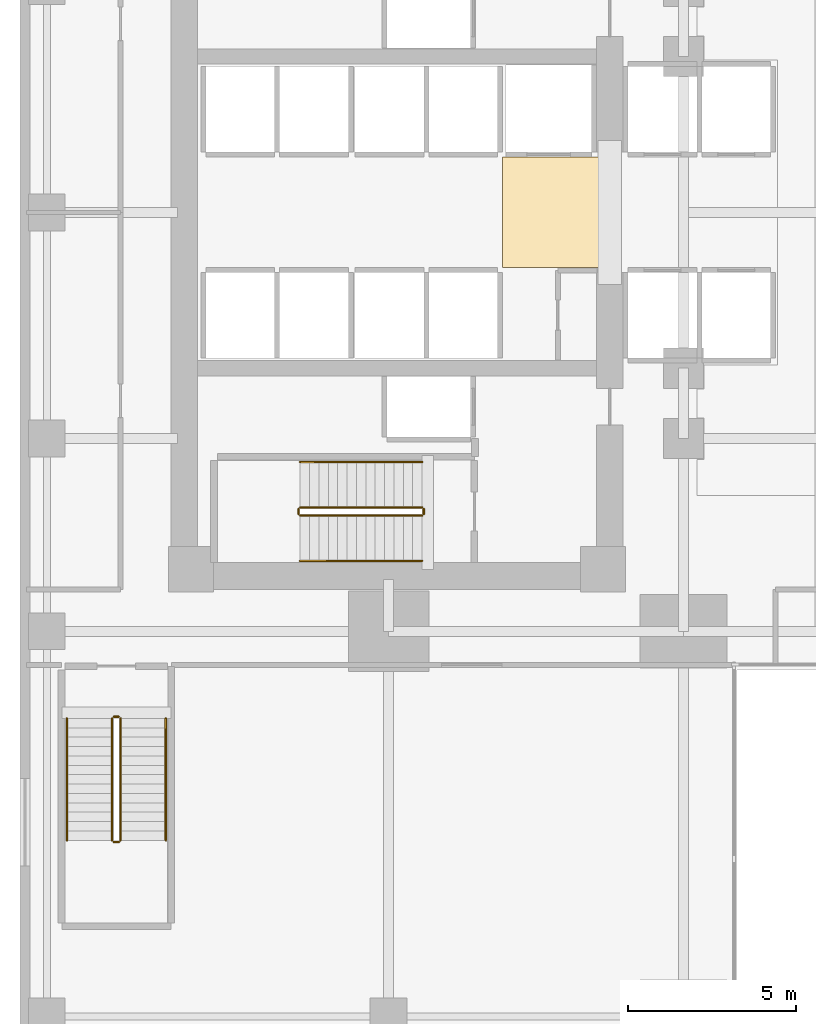
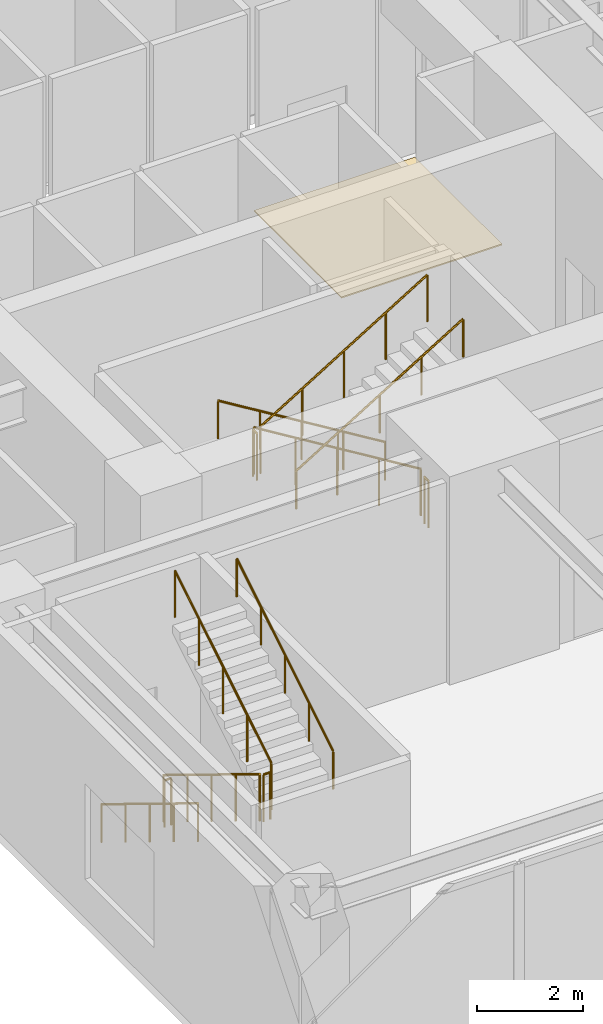
# One storey, part 12 of 13: 12 railings, 1 covering.
"""IFC4 building model written with IfcOpenShell, lengths in metres."""

from ifc_helpers import new_model, si_unit, direction, frame, origin, origin_2d, place, context, subcontext, project, spatial, polyline, circle, outline, extrude, material, layer, layer_set, type_object, element, save


model = new_model("IFC4")

# Units and contexts
model_context = context("Model", 3, precision=1e-05, world=origin(), true_north=direction((0.0, 1.0)))
body_context = subcontext(model_context, "Body", "Model", "MODEL_VIEW")
ifc_project = project(units=[si_unit("LENGTHUNIT", "METRE"), si_unit("AREAUNIT", "SQUARE_METRE"), si_unit("VOLUMEUNIT", "CUBIC_METRE"), si_unit("PLANEANGLEUNIT", "RADIAN"), si_unit("MASSUNIT", "GRAM", prefix="KILO")], contexts=[model_context])

# Site, building, storey
site_placement = place(None, origin())
site = spatial("IfcSite", under=ifc_project, at=site_placement, CompositionType="ELEMENT")
building_placement = place(site_placement, origin())
building = spatial("IfcBuilding", under=site, at=building_placement, Name="Kinhvarn Gate Tower", CompositionType="ELEMENT")
storey_placement = place(building_placement, frame((0.0, 0.0, 10.800048828125)))
storey = spatial("IfcBuildingStorey", under=building, at=storey_placement, Name="L02", CompositionType="ELEMENT", Elevation=10.800048828125)

# Covering
ifc_material_1 = material(Name="Honed granite architectural paving", Category="masonry")
ifc_layer = layer(ifc_material_1, 0.030029296875)
ifc_layer_set = layer_set([ifc_layer], Name="Honed granite architectural paving")
covering_type = type_object("IfcCoveringType", Name="COV-FLR-30", PredefinedType="FLOORING", material=ifc_layer_set)
covering_placement = place(storey_placement, origin())
element("IfcCovering", 1, at=covering_placement, inside=storey, type_object=covering_type, Name="Honed Granite Lift Lobby Flooring (L02)", PredefinedType="FLOORING", context=body_context, shape_type="SweptSolid", body=[
    extrude(outline(polyline([(14.39990234375, 23.60009765625), (14.39990234375, 26.89990234375), (17.89990234375, 26.89990234375), (17.89990234375, 23.60009765625), (14.39990234375, 23.60009765625)])), origin(), (0.0, 0.0, 1.0), 0.030029296875),
])

# Railings
ifc_material_2 = material(Name="Steel S355", Category="steel")
railing_type_1 = type_object("IfcRailingType", Name="RL-ST-GRD", PredefinedType="BALUSTRADE", material=ifc_material_2)
railing_1_placement = place(storey_placement, frame((12.0, 16.449951171875, 0.17138671875)))
element("IfcRailing", 2, at=railing_1_placement, inside=storey, type_object=railing_type_1, Name="L02 ST1 stair guard 1", PredefinedType="BALUSTRADE", context=body_context, shape_type="SweptSolid", body=[
    extrude(circle(Radius=0.02392578125, at=origin_2d()), frame((0.0, 0.0, 1.076171875), z_axis=(-0.852850264322, 0.0, 0.5221555579), x_axis=(0.0, -1.0, 0.0)), (0.0, 0.0, 1.0), 4.267822265625),
    extrude(circle(Radius=0.02099609375, at=origin_2d()), origin(), (0.0, 0.0, 1.0), 1.052001953125),
    extrude(circle(Radius=0.02099609375, at=origin_2d()), frame((-0.909912109375, 0.0, 0.55712890625)), (0.0, 0.0, 1.0), 1.052001953125),
    extrude(circle(Radius=0.02099609375, at=origin_2d()), frame((-1.81982421875, 0.0, 1.1142578125)), (0.0, 0.0, 1.0), 1.052001953125),
    extrude(circle(Radius=0.02099609375, at=origin_2d()), frame((-2.72998046875, 0.0, 1.67138671875)), (0.0, 0.0, 1.0), 1.052001953125),
    extrude(circle(Radius=0.02099609375, at=origin_2d()), frame((-3.639892578125, 0.0, 2.228515625)), (0.0, 0.0, 1.0), 1.052001953125),
])
railing_2_placement = place(storey_placement, frame((8.31005859375, 16.39990234375, 2.39990234375)))
element("IfcRailing", 3, at=railing_2_placement, inside=storey, type_object=railing_type_1, Name="L02 ST1 stair guard 2", PredefinedType="BALUSTRADE", context=body_context, shape_type="SweptSolid", body=[
    extrude(circle(Radius=0.02392578125, at=origin_2d()), frame((0.0, 0.0, 1.076171875), z_axis=(0.0, -1.0, 0.0), x_axis=(1.0, 0.0, 0.0)), (0.0, 0.0, 1.0), 0.14990234375),
    extrude(circle(Radius=0.02099609375, at=origin_2d()), origin(), (0.0, 0.0, 1.0), 1.052001953125),
    extrude(circle(Radius=0.02099609375, at=origin_2d()), frame((0.0, -0.14990234375, 0.0)), (0.0, 0.0, 1.0), 1.052001953125),
])
railing_3_placement = place(storey_placement, frame((8.360107421875, 16.199951171875, 2.5712890625)))
element("IfcRailing", 4, at=railing_3_placement, inside=storey, type_object=railing_type_1, Name="L02 ST1 stair guard 3", PredefinedType="BALUSTRADE", context=body_context, shape_type="SweptSolid", body=[
    extrude(circle(Radius=0.02392578125, at=origin_2d()), frame((0.0, 0.0, 1.076171875), z_axis=(0.852824790078, 0.0, 0.522197163366), x_axis=(0.0, 1.0, 0.0)), (0.0, 0.0, 1.0), 4.26806640625),
    extrude(circle(Radius=0.02099609375, at=origin_2d()), origin(), (0.0, 0.0, 1.0), 1.052001953125),
    extrude(circle(Radius=0.02099609375, at=origin_2d()), frame((0.909912109375, 0.0, 0.55712890625)), (0.0, 0.0, 1.0), 1.052001953125),
    extrude(circle(Radius=0.02099609375, at=origin_2d()), frame((1.81982421875, 0.0, 1.1142578125)), (0.0, 0.0, 1.0), 1.052001953125),
    extrude(circle(Radius=0.02099609375, at=origin_2d()), frame((2.72998046875, 0.0, 1.671630859375)), (0.0, 0.0, 1.0), 1.052001953125),
    extrude(circle(Radius=0.02099609375, at=origin_2d()), frame((3.639892578125, 0.0, 2.228759765625)), (0.0, 0.0, 1.0), 1.052001953125),
])
railing_4_placement = place(storey_placement, frame((12.050048828125, 16.39990234375, 0.0)))
element("IfcRailing", 5, at=railing_4_placement, inside=storey, type_object=railing_type_1, Name="L02 ST1 stair guard 4", PredefinedType="BALUSTRADE", context=body_context, shape_type="SweptSolid", body=[
    extrude(circle(Radius=0.02392578125, at=origin_2d()), frame((0.0, 0.0, 1.076171875), z_axis=(0.0, -1.0, 0.0), x_axis=(1.0, 0.0, 0.0)), (0.0, 0.0, 1.0), 0.14990234375),
    extrude(circle(Radius=0.02099609375, at=origin_2d()), origin(), (0.0, 0.0, 1.0), 1.052001953125),
    extrude(circle(Radius=0.02099609375, at=origin_2d()), frame((0.0, -0.14990234375, 0.0)), (0.0, 0.0, 1.0), 1.052001953125),
])
railing_5_placement = place(storey_placement, frame((2.75, 10.14990234375, 0.17138671875)))
element("IfcRailing", 6, at=railing_5_placement, inside=storey, type_object=railing_type_1, Name="L02 ST3 stair guard 1", PredefinedType="BALUSTRADE", context=body_context, shape_type="SweptSolid", body=[
    extrude(circle(Radius=0.02392578125, at=origin_2d()), frame((0.0, 0.0, 1.076171875), z_axis=(0.0, -0.852850264322, 0.5221555579), x_axis=(1.0, 0.0, 0.0)), (0.0, 0.0, 1.0), 4.267822265625),
    extrude(circle(Radius=0.02099609375, at=origin_2d()), origin(), (0.0, 0.0, 1.0), 1.052001953125),
    extrude(circle(Radius=0.02099609375, at=origin_2d()), frame((0.0, -0.909912109375, 0.55712890625)), (0.0, 0.0, 1.0), 1.052001953125),
    extrude(circle(Radius=0.02099609375, at=origin_2d()), frame((0.0, -1.81982421875, 1.1142578125)), (0.0, 0.0, 1.0), 1.052001953125),
    extrude(circle(Radius=0.02099609375, at=origin_2d()), frame((0.0, -2.72998046875, 1.67138671875)), (0.0, 0.0, 1.0), 1.052001953125),
    extrude(circle(Radius=0.02099609375, at=origin_2d()), frame((0.0, -3.639892578125, 2.228515625)), (0.0, 0.0, 1.0), 1.052001953125),
])
railing_6_placement = place(storey_placement, frame((2.800048828125, 6.4599609375, 2.39990234375)))
element("IfcRailing", 7, at=railing_6_placement, inside=storey, type_object=railing_type_1, Name="L02 ST3 stair guard 2", PredefinedType="BALUSTRADE", context=body_context, shape_type="SweptSolid", body=[
    extrude(circle(Radius=0.02392578125, at=origin_2d()), frame((0.0, 0.0, 1.076171875), z_axis=(1.0, 0.0, 0.0), x_axis=(0.0, 1.0, 0.0)), (0.0, 0.0, 1.0), 0.14990234375),
    extrude(circle(Radius=0.02099609375, at=origin_2d()), origin(), (0.0, 0.0, 1.0), 1.052001953125),
    extrude(circle(Radius=0.02099609375, at=origin_2d()), frame((0.14990234375, 0.0, 0.0)), (0.0, 0.0, 1.0), 1.052001953125),
])
railing_7_placement = place(storey_placement, frame((3.0, 6.510009765625, 2.5712890625)))
element("IfcRailing", 8, at=railing_7_placement, inside=storey, type_object=railing_type_1, Name="L02 ST3 stair guard 3", PredefinedType="BALUSTRADE", context=body_context, shape_type="SweptSolid", body=[
    extrude(circle(Radius=0.02392578125, at=origin_2d()), frame((0.0, 0.0, 1.076171875), z_axis=(0.0, 0.852824790078, 0.522197163366), x_axis=(-1.0, 0.0, 0.0)), (0.0, 0.0, 1.0), 4.26806640625),
    extrude(circle(Radius=0.02099609375, at=origin_2d()), origin(), (0.0, 0.0, 1.0), 1.052001953125),
    extrude(circle(Radius=0.02099609375, at=origin_2d()), frame((0.0, 0.909912109375, 0.55712890625)), (0.0, 0.0, 1.0), 1.052001953125),
    extrude(circle(Radius=0.02099609375, at=origin_2d()), frame((0.0, 1.81982421875, 1.1142578125)), (0.0, 0.0, 1.0), 1.052001953125),
    extrude(circle(Radius=0.02099609375, at=origin_2d()), frame((0.0, 2.72998046875, 1.671630859375)), (0.0, 0.0, 1.0), 1.052001953125),
    extrude(circle(Radius=0.02099609375, at=origin_2d()), frame((0.0, 3.639892578125, 2.228759765625)), (0.0, 0.0, 1.0), 1.052001953125),
])
railing_8_placement = place(storey_placement, frame((2.800048828125, 10.199951171875, 0.0)))
element("IfcRailing", 9, at=railing_8_placement, inside=storey, type_object=railing_type_1, Name="L02 ST3 stair guard 4", PredefinedType="BALUSTRADE", context=body_context, shape_type="SweptSolid", body=[
    extrude(circle(Radius=0.02392578125, at=origin_2d()), frame((0.0, 0.0, 1.076171875), z_axis=(1.0, 0.0, 0.0), x_axis=(0.0, 1.0, 0.0)), (0.0, 0.0, 1.0), 0.14990234375),
    extrude(circle(Radius=0.02099609375, at=origin_2d()), origin(), (0.0, 0.0, 1.0), 1.052001953125),
    extrude(circle(Radius=0.02099609375, at=origin_2d()), frame((0.14990234375, 0.0, 0.0)), (0.0, 0.0, 1.0), 1.052001953125),
])
railing_type_2 = type_object("IfcRailingType", Name="RL-ST-HND", PredefinedType="HANDRAIL", material=ifc_material_2)
railing_9_placement = place(storey_placement, frame((12.0, 17.800048828125, 0.17138671875)))
element("IfcRailing", 10, at=railing_9_placement, inside=storey, type_object=railing_type_2, Name="L02 ST1 stair handrail 1", PredefinedType="HANDRAIL", context=body_context, shape_type="SweptSolid", body=[
    extrude(circle(Radius=0.02392578125, at=origin_2d()), frame((0.0, 0.0, 0.8759765625), z_axis=(-0.852850264322, 0.0, 0.5221555579), x_axis=(0.0, -1.0, 0.0)), (0.0, 0.0, 1.0), 4.267822265625),
    extrude(circle(Radius=0.02099609375, at=origin_2d()), origin(), (0.0, 0.0, 1.0), 0.851806640625),
    extrude(circle(Radius=0.02099609375, at=origin_2d()), frame((-0.909912109375, 0.0, 0.55712890625)), (0.0, 0.0, 1.0), 0.851806640625),
    extrude(circle(Radius=0.02099609375, at=origin_2d()), frame((-1.81982421875, 0.0, 1.1142578125)), (0.0, 0.0, 1.0), 0.851806640625),
    extrude(circle(Radius=0.02099609375, at=origin_2d()), frame((-2.72998046875, 0.0, 1.67138671875)), (0.0, 0.0, 1.0), 0.851806640625),
    extrude(circle(Radius=0.02099609375, at=origin_2d()), frame((-3.639892578125, 0.0, 2.228515625)), (0.0, 0.0, 1.0), 0.851806640625),
])
railing_10_placement = place(storey_placement, frame((8.360107421875, 14.85009765625, 2.5712890625)))
element("IfcRailing", 11, at=railing_10_placement, inside=storey, type_object=railing_type_2, Name="L02 ST1 stair handrail 2", PredefinedType="HANDRAIL", context=body_context, shape_type="SweptSolid", body=[
    extrude(circle(Radius=0.02392578125, at=origin_2d()), frame((0.0, 0.0, 0.8759765625), z_axis=(0.852824790078, 0.0, 0.522197163366), x_axis=(0.0, 1.0, 0.0)), (0.0, 0.0, 1.0), 4.26806640625),
    extrude(circle(Radius=0.02099609375, at=origin_2d()), origin(), (0.0, 0.0, 1.0), 0.851806640625),
    extrude(circle(Radius=0.02099609375, at=origin_2d()), frame((0.909912109375, 0.0, 0.55712890625)), (0.0, 0.0, 1.0), 0.851806640625),
    extrude(circle(Radius=0.02099609375, at=origin_2d()), frame((1.81982421875, 0.0, 1.1142578125)), (0.0, 0.0, 1.0), 0.851806640625),
    extrude(circle(Radius=0.02099609375, at=origin_2d()), frame((2.72998046875, 0.0, 1.671630859375)), (0.0, 0.0, 1.0), 0.851806640625),
    extrude(circle(Radius=0.02099609375, at=origin_2d()), frame((3.639892578125, 0.0, 2.228759765625)), (0.0, 0.0, 1.0), 0.851806640625),
])
railing_11_placement = place(storey_placement, frame((1.39990234375, 10.14990234375, 0.17138671875)))
element("IfcRailing", 12, at=railing_11_placement, inside=storey, type_object=railing_type_2, Name="L02 ST3 stair handrail 1", PredefinedType="HANDRAIL", context=body_context, shape_type="SweptSolid", body=[
    extrude(circle(Radius=0.02392578125, at=origin_2d()), frame((0.0, 0.0, 0.8759765625), z_axis=(0.0, -0.852850264322, 0.5221555579), x_axis=(1.0, 0.0, 0.0)), (0.0, 0.0, 1.0), 4.267822265625),
    extrude(circle(Radius=0.02099609375, at=origin_2d()), origin(), (0.0, 0.0, 1.0), 0.851806640625),
    extrude(circle(Radius=0.02099609375, at=origin_2d()), frame((0.0, -0.909912109375, 0.55712890625)), (0.0, 0.0, 1.0), 0.851806640625),
    extrude(circle(Radius=0.02099609375, at=origin_2d()), frame((0.0, -1.81982421875, 1.1142578125)), (0.0, 0.0, 1.0), 0.851806640625),
    extrude(circle(Radius=0.02099609375, at=origin_2d()), frame((0.0, -2.72998046875, 1.67138671875)), (0.0, 0.0, 1.0), 0.851806640625),
    extrude(circle(Radius=0.02099609375, at=origin_2d()), frame((0.0, -3.639892578125, 2.228515625)), (0.0, 0.0, 1.0), 0.851806640625),
])
railing_12_placement = place(storey_placement, frame((4.35009765625, 6.510009765625, 2.5712890625)))
element("IfcRailing", 13, at=railing_12_placement, inside=storey, type_object=railing_type_2, Name="L02 ST3 stair handrail 2", PredefinedType="HANDRAIL", context=body_context, shape_type="SweptSolid", body=[
    extrude(circle(Radius=0.02392578125, at=origin_2d()), frame((0.0, 0.0, 0.8759765625), z_axis=(0.0, 0.852824790078, 0.522197163366), x_axis=(-1.0, 0.0, 0.0)), (0.0, 0.0, 1.0), 4.26806640625),
    extrude(circle(Radius=0.02099609375, at=origin_2d()), origin(), (0.0, 0.0, 1.0), 0.851806640625),
    extrude(circle(Radius=0.02099609375, at=origin_2d()), frame((0.0, 0.909912109375, 0.55712890625)), (0.0, 0.0, 1.0), 0.851806640625),
    extrude(circle(Radius=0.02099609375, at=origin_2d()), frame((0.0, 1.81982421875, 1.1142578125)), (0.0, 0.0, 1.0), 0.851806640625),
    extrude(circle(Radius=0.02099609375, at=origin_2d()), frame((0.0, 2.72998046875, 1.671630859375)), (0.0, 0.0, 1.0), 0.851806640625),
    extrude(circle(Radius=0.02099609375, at=origin_2d()), frame((0.0, 3.639892578125, 2.228759765625)), (0.0, 0.0, 1.0), 0.851806640625),
])

save(model, "model.ifc")
